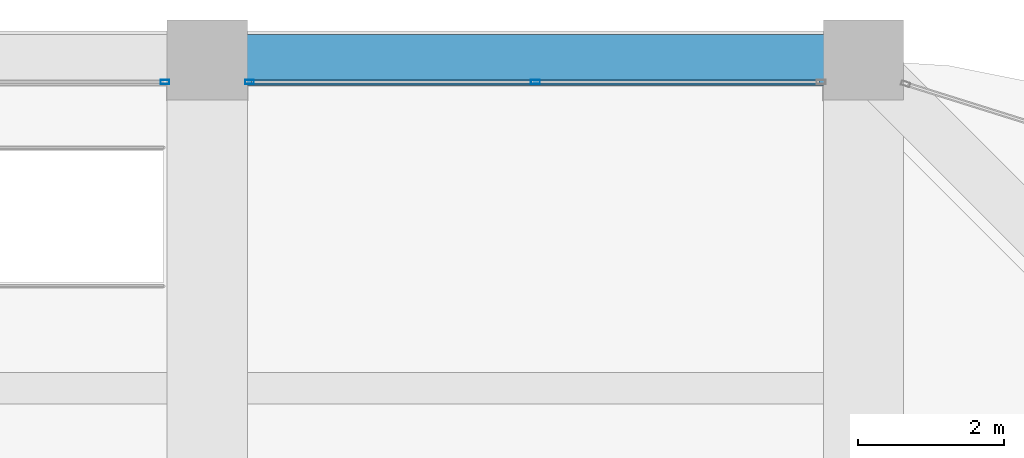
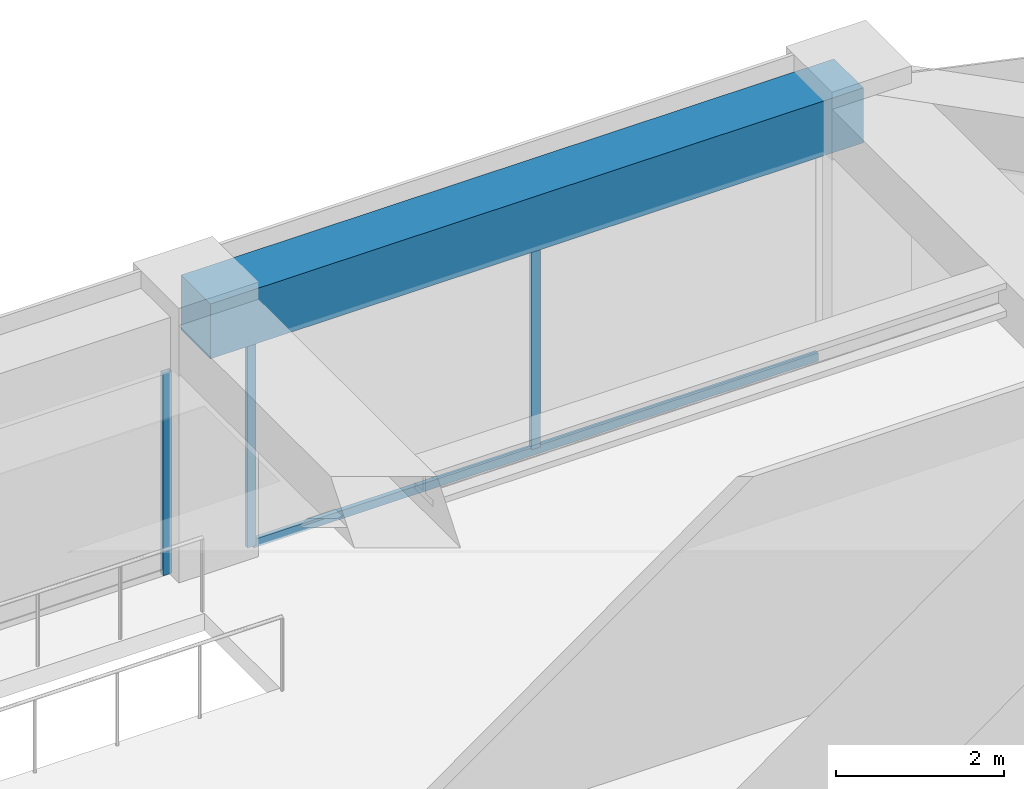
# One storey, part 35 of 44: 4 members, 1 beam, 2 elements without a shape of their own.
"""IFC4 building model written with IfcOpenShell, lengths in metres."""

from ifc_helpers import new_model, si_unit, direction, frame, origin, origin_2d, place, context, subcontext, project, spatial, rectangle, hollow_rectangle, extrude, material, material_profile, profile_set, type_object, element, aggregate, save


model = new_model("IFC4")

# Units and contexts
model_context = context("Model", 3, precision=1e-05, world=origin(), true_north=direction((0.0, 1.0)))
body_context = subcontext(model_context, "Body", "Model", "MODEL_VIEW")
ifc_project = project(units=[si_unit("LENGTHUNIT", "METRE"), si_unit("AREAUNIT", "SQUARE_METRE"), si_unit("VOLUMEUNIT", "CUBIC_METRE"), si_unit("PLANEANGLEUNIT", "RADIAN"), si_unit("MASSUNIT", "GRAM", prefix="KILO")], contexts=[model_context])

# Site, building, storey
site_placement = place(None, origin())
site = spatial("IfcSite", under=ifc_project, at=site_placement, CompositionType="ELEMENT")
building_placement = place(site_placement, origin())
building = spatial("IfcBuilding", under=site, at=building_placement, Name="Zorevar Civic Tower", CompositionType="ELEMENT")
storey_placement = place(building_placement, frame((0.0, 0.0, 295.39990234375)))
storey = spatial("IfcBuildingStorey", under=building, at=storey_placement, Name="L72", CompositionType="ELEMENT", Elevation=295.39990234375)

# Curtain wall, member
ifc_material_1 = material(Name="Dark grey solar-control glass in black aluminium frame", Category="aluminium")
curtain_wall_type = type_object("IfcCurtainWallType", Name="Curtain wall CW5 top zone", PredefinedType="NOTDEFINED", material=ifc_material_1)
curtain_wall_1_placement = place(storey_placement, origin())
curtain_wall_1 = element("IfcCurtainWall", 1, at=curtain_wall_1_placement, inside=storey, type_object=curtain_wall_type, Name="CW5 L72", PredefinedType="NOTDEFINED")
ifc_material_2 = material(Name="Aluminium, black anodised", Category="aluminium")
ifc_material_profile_1 = material_profile(ifc_material_2, hollow_rectangle(XDim=0.06005859375, YDim=0.1201171875, WallThickness=0.0029296875, at=origin_2d()), Name="AL 120x60x3")
ifc_profile_set_1 = profile_set([ifc_material_profile_1], Name="Aluminium, black anodised")
member_type_1 = type_object("IfcMemberType", Name="CW5 mullion AL 120x60x3", PredefinedType="MULLION", material=ifc_profile_set_1)
member_1_placement = place(storey_placement, frame((35.419921875, 44.699951171875, 0.0), z_axis=(0.0, 0.0, 1.0), x_axis=(0.0, 1.0, 0.0)))
member_1 = element("IfcMember", 2, at=member_1_placement, type_object=member_type_1, Name="CW5 mullion 3", PredefinedType="MULLION", context=body_context, shape_type="SweptSolid", body=[
    extrude(hollow_rectangle(XDim=0.06005859375, YDim=0.1201171875, WallThickness=0.0029296875, at=origin_2d()), origin(), (0.0, 0.0, 1.0), 2.9501953125),
])
aggregate(curtain_wall_1, [member_1])

# Curtain wall, members
curtain_wall_2_placement = place(storey_placement, origin())
curtain_wall_2 = element("IfcCurtainWall", 3, at=curtain_wall_2_placement, inside=storey, type_object=curtain_wall_type, Name="CW5 L72", PredefinedType="NOTDEFINED")
member_2_placement = place(storey_placement, frame((36.580078125, 44.699951171875, 0.0), z_axis=(0.0, 0.0, 1.0), x_axis=(0.0, 1.0, 0.0)))
member_2 = element("IfcMember", 4, at=member_2_placement, type_object=member_type_1, Name="CW5 mullion 1", PredefinedType="MULLION", context=body_context, shape_type="SweptSolid", body=[
    extrude(hollow_rectangle(XDim=0.06005859375, YDim=0.1201171875, WallThickness=0.0029296875, at=origin_2d()), origin(), (0.0, 0.0, 1.0), 2.9501953125),
])
member_3_placement = place(storey_placement, frame((40.5, 44.699951171875, 0.06005859375), z_axis=(0.0, 0.0, 1.0), x_axis=(0.0, 1.0, 0.0)))
member_3 = element("IfcMember", 5, at=member_3_placement, type_object=member_type_1, Name="CW5 mullion 2", PredefinedType="MULLION", context=body_context, shape_type="SweptSolid", body=[
    extrude(hollow_rectangle(XDim=0.06005859375, YDim=0.1201171875, WallThickness=0.0029296875, at=origin_2d()), origin(), (0.0, 0.0, 1.0), 2.89013671875),
])
ifc_material_3 = material(Name="Aluminium, black anodised", Category="aluminium")
ifc_material_profile_2 = material_profile(ifc_material_3, hollow_rectangle(XDim=0.06005859375, YDim=0.1201171875, WallThickness=0.0029296875, at=origin_2d()), Name="AL 120x60x3")
ifc_profile_set_2 = profile_set([ifc_material_profile_2], Name="Aluminium, black anodised")
member_type_2 = type_object("IfcMemberType", Name="CW5 transom AL 120x60x3", PredefinedType="USERDEFINED", material=ifc_profile_set_2)
member_4_placement = place(storey_placement, frame((36.610107421875, 44.699951171875, 0.030029296875), z_axis=(1.0, 0.0, 0.0), x_axis=(0.0, 1.0, 0.0)))
member_4 = element("IfcMember", 6, at=member_4_placement, type_object=member_type_2, Name="CW5 sill transom", ObjectType="TRANSOM", PredefinedType="USERDEFINED", context=body_context, shape_type="SweptSolid", body=[
    extrude(hollow_rectangle(XDim=0.06005859375, YDim=0.1201171875, WallThickness=0.0029296875, at=origin_2d()), origin(), (0.0, 0.0, 1.0), 7.77978515625),
])
aggregate(curtain_wall_2, [member_2, member_3, member_4])

# Beam
ifc_material_4 = material(Name="Concrete C50/60", Category="concrete")
ifc_material_profile_3 = material_profile(ifc_material_4, rectangle(XDim=0.699951171875, YDim=0.800048828125, at=origin_2d()), Name="RC 700x800")
ifc_profile_set_3 = profile_set([ifc_material_profile_3], Name="Concrete C50/60")
beam_type = type_object("IfcBeamType", Name="Edge beam RC 700x800", PredefinedType="SPANDREL", material=ifc_profile_set_3)
beam_placement = place(storey_placement, frame((36.0, 45.0, 3.35009765625), z_axis=(1.0, 0.0, 0.0), x_axis=(0.0, 1.0, 0.0)))
element("IfcBeam", 7, at=beam_placement, inside=storey, type_object=beam_type, Name="Edge beam L73", PredefinedType="SPANDREL", context=body_context, shape_type="SweptSolid", body=[
    extrude(rectangle(XDim=0.699951171875, YDim=0.800048828125, at=origin_2d()), origin(), (0.0, 0.0, 1.0), 9.0),
])

save(model, "model.ifc")
